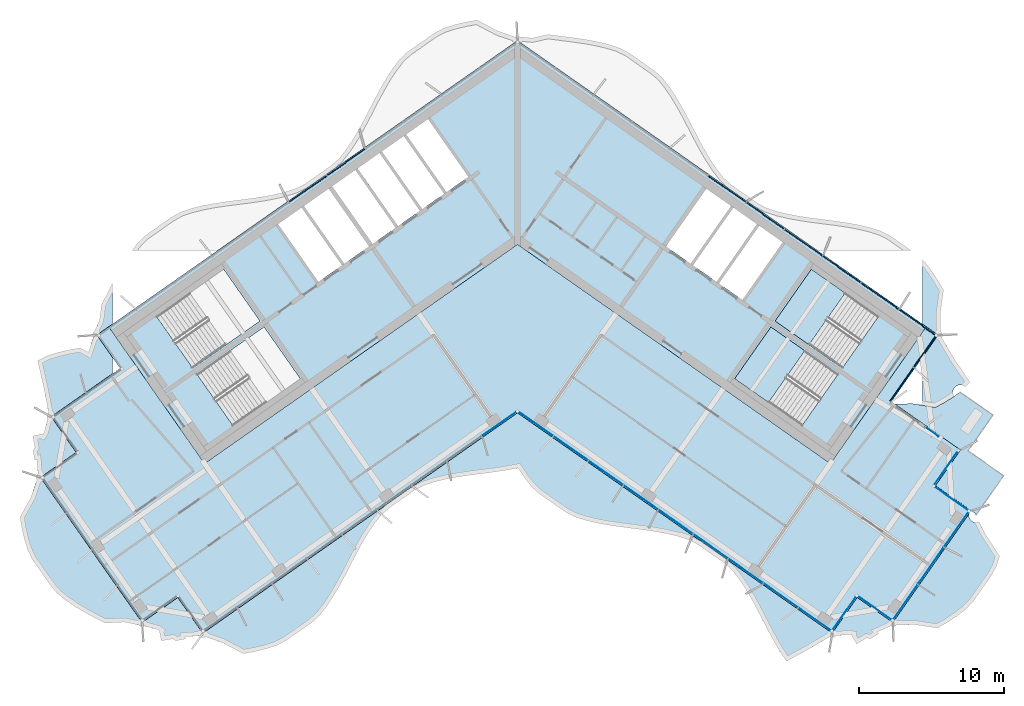
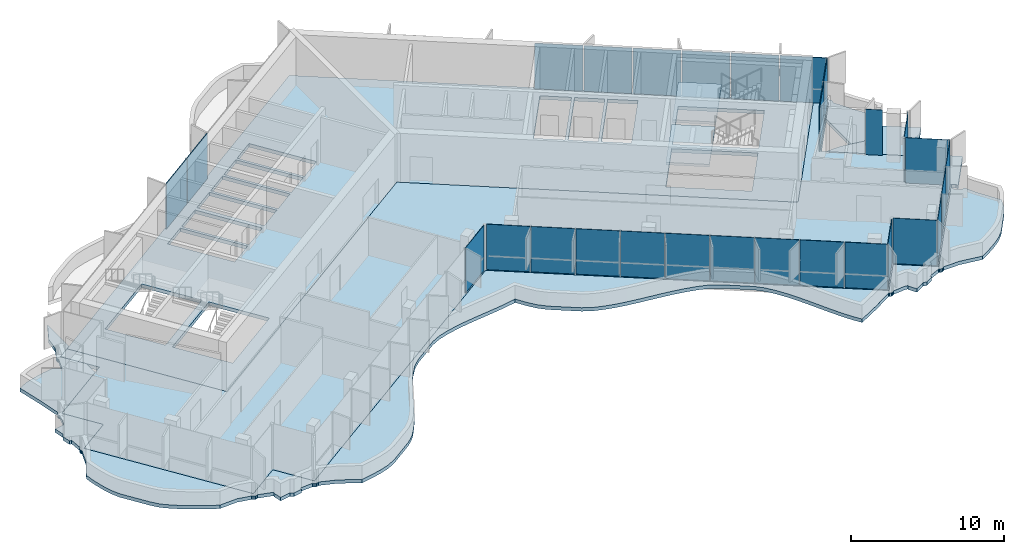
# One storey, part 9 of 20: 28 plates, 7 slabs, 4 elements without a shape of their own.
"""IFC4 building model written with IfcOpenShell, lengths in metres."""

from ifc_helpers import new_model, si_unit, direction, frame, origin, origin_2d, place, context, subcontext, project, spatial, polyline, rectangle, outline, extrude, material, layer, layer_set, type_object, element, aggregate, save


model = new_model("IFC4")

# Units and contexts
model_context = context("Model", 3, precision=1e-05, world=origin(), true_north=direction((0.0, 1.0)))
body_context = subcontext(model_context, "Body", "Model", "MODEL_VIEW")
ifc_project = project(units=[si_unit("LENGTHUNIT", "METRE"), si_unit("AREAUNIT", "SQUARE_METRE"), si_unit("VOLUMEUNIT", "CUBIC_METRE"), si_unit("PLANEANGLEUNIT", "RADIAN"), si_unit("MASSUNIT", "GRAM", prefix="KILO")], contexts=[model_context])

# Site, building, storey
site_placement = place(None, origin())
site = spatial("IfcSite", under=ifc_project, at=site_placement, CompositionType="ELEMENT")
building_placement = place(site_placement, origin())
building = spatial("IfcBuilding", under=site, at=building_placement, Name="Tel Ilan Convention Tower", CompositionType="ELEMENT")
storey_placement = place(building_placement, frame((0.0, 0.0, 248.800048828125)))
storey = spatial("IfcBuildingStorey", under=building, at=storey_placement, Name="L58", CompositionType="ELEMENT", Elevation=248.800048828125)

# Curtain wall, plates
ifc_material_1 = material(Name="Aluminium, bronze anodised", Category="aluminium")
curtain_wall_type_1 = type_object("IfcCurtainWallType", Name="CW2 STICK CURTAIN WALL, SPANDREL PANELS", PredefinedType="NOTDEFINED", material=ifc_material_1)
curtain_wall_1_placement = place(storey_placement, origin())
curtain_wall_1 = element("IfcCurtainWall", 1, at=curtain_wall_1_placement, inside=storey, type_object=curtain_wall_type_1, Name="Curtain wall CW2-45.02", PredefinedType="NOTDEFINED")
ifc_material_2 = material(Name="Aluminium composite panel, bronze anodised", Category="aluminium")
ifc_layer_1 = layer(ifc_material_2, 0.06005859375)
ifc_layer_set_1 = layer_set([ifc_layer_1], Name="CW SPANDREL PANEL 60")
plate_type_1 = type_object("IfcPlateType", Name="CW SPANDREL PANEL 60", PredefinedType="CURTAIN_PANEL", material=ifc_layer_set_1)
plate_1_placement = place(storey_placement, frame((26.45947265625, -10.85400390625, 0.0), z_axis=(0.0, 0.0, 1.0), x_axis=(0.573576436351, 0.819152044289, 0.0)))
plate_1 = element("IfcPlate", 2, at=plate_1_placement, type_object=plate_type_1, Name="Spandrel panel", PredefinedType="CURTAIN_PANEL", context=body_context, shape_type="SweptSolid", body=[
    extrude(rectangle(XDim=2.76904296875, YDim=0.06005859375, at=origin_2d()), origin(), (0.0, 0.0, 1.0), 3.6201171875),
])
plate_2_placement = place(storey_placement, frame((28.042236328125, -8.593505859375, 0.0), z_axis=(0.0, 0.0, 1.0), x_axis=(0.573576436351, 0.819152044289, 0.0)))
plate_2 = element("IfcPlate", 3, at=plate_2_placement, type_object=plate_type_1, Name="Spandrel panel", PredefinedType="CURTAIN_PANEL", context=body_context, shape_type="SweptSolid", body=[
    extrude(rectangle(XDim=2.6298828125, YDim=0.06005859375, at=origin_2d()), origin(), (0.0, 0.0, 1.0), 3.6201171875),
])
plate_3_placement = place(storey_placement, frame((27.5400390625, -6.587646484375, 0.0), z_axis=(0.0, 0.0, 1.0), x_axis=(-0.819152044289, 0.573576436351, 0.0)))
plate_3 = element("IfcPlate", 4, at=plate_3_placement, type_object=plate_type_1, Name="Spandrel panel", PredefinedType="CURTAIN_PANEL", context=body_context, shape_type="SweptSolid", body=[
    extrude(rectangle(XDim=3.0439453125, YDim=0.06005859375, at=origin_2d()), origin(), (0.0, 0.0, 1.0), 3.6201171875),
])
plate_4_placement = place(storey_placement, frame((24.95263671875, -4.77587890625, 0.0), z_axis=(0.0, 0.0, 1.0), x_axis=(-0.819152044289, 0.573576436351, 0.0)))
plate_4 = element("IfcPlate", 5, at=plate_4_placement, type_object=plate_type_1, Name="Spandrel panel", PredefinedType="CURTAIN_PANEL", context=body_context, shape_type="SweptSolid", body=[
    extrude(rectangle(XDim=3.15380859375, YDim=0.06005859375, at=origin_2d()), origin(), (0.0, 0.0, 1.0), 3.6201171875),
])
plate_5_placement = place(storey_placement, frame((22.31982421875, -2.9326171875, 0.0), z_axis=(0.0, 0.0, 1.0), x_axis=(-0.819152044289, 0.573576436351, 0.0)))
plate_5 = element("IfcPlate", 6, at=plate_5_placement, type_object=plate_type_1, Name="Spandrel panel", PredefinedType="CURTAIN_PANEL", context=body_context, shape_type="SweptSolid", body=[
    extrude(rectangle(XDim=3.15380859375, YDim=0.06005859375, at=origin_2d()), origin(), (0.0, 0.0, 1.0), 3.6201171875),
])
plate_6_placement = place(storey_placement, frame((19.687255859375, -1.089111328125, 0.0), z_axis=(0.0, 0.0, 1.0), x_axis=(-0.819152044289, 0.573576436351, 0.0)))
plate_6 = element("IfcPlate", 7, at=plate_6_placement, type_object=plate_type_1, Name="Spandrel panel", PredefinedType="CURTAIN_PANEL", context=body_context, shape_type="SweptSolid", body=[
    extrude(rectangle(XDim=3.15380859375, YDim=0.06005859375, at=origin_2d()), origin(), (0.0, 0.0, 1.0), 3.6201171875),
])
plate_7_placement = place(storey_placement, frame((17.0546875, 0.754150390625, 0.0), z_axis=(0.0, 0.0, 1.0), x_axis=(-0.819152044289, 0.573576436351, 0.0)))
plate_7 = element("IfcPlate", 8, at=plate_7_placement, type_object=plate_type_1, Name="Spandrel panel", PredefinedType="CURTAIN_PANEL", context=body_context, shape_type="SweptSolid", body=[
    extrude(rectangle(XDim=3.15380859375, YDim=0.06005859375, at=origin_2d()), origin(), (0.0, 0.0, 1.0), 3.6201171875),
])
plate_8_placement = place(storey_placement, frame((14.422119140625, 2.59765625, 0.0), z_axis=(0.0, 0.0, 1.0), x_axis=(-0.819152044289, 0.573576436351, 0.0)))
plate_8 = element("IfcPlate", 9, at=plate_8_placement, type_object=plate_type_1, Name="Spandrel panel", PredefinedType="CURTAIN_PANEL", context=body_context, shape_type="SweptSolid", body=[
    extrude(rectangle(XDim=3.15380859375, YDim=0.06005859375, at=origin_2d()), origin(), (0.0, 0.0, 1.0), 3.6201171875),
])
plate_9_placement = place(storey_placement, frame((-11.789306640625, 4.44091796875, 0.0), z_axis=(0.0, 0.0, 1.0), x_axis=(-0.819152044289, -0.573576436351, 0.0)))
plate_9 = element("IfcPlate", 10, at=plate_9_placement, type_object=plate_type_1, Name="Spandrel panel", PredefinedType="CURTAIN_PANEL", context=body_context, shape_type="SweptSolid", body=[
    extrude(rectangle(XDim=3.15380859375, YDim=0.06005859375, at=origin_2d()), origin(), (0.0, 0.0, 1.0), 3.6201171875),
])
plate_10_placement = place(storey_placement, frame((-14.422119140625, 2.59765625, 0.0), z_axis=(0.0, 0.0, 1.0), x_axis=(-0.819152044289, -0.573576436351, 0.0)))
plate_10 = element("IfcPlate", 11, at=plate_10_placement, type_object=plate_type_1, Name="Spandrel panel", PredefinedType="CURTAIN_PANEL", context=body_context, shape_type="SweptSolid", body=[
    extrude(rectangle(XDim=3.15380859375, YDim=0.06005859375, at=origin_2d()), origin(), (0.0, 0.0, 1.0), 3.6201171875),
])
aggregate(curtain_wall_1, [plate_1, plate_2, plate_3, plate_4, plate_5, plate_6, plate_7, plate_8, plate_9, plate_10])

ifc_material_3 = material(Name="Aluminium, bronze anodised", Category="aluminium")
curtain_wall_type_2 = type_object("IfcCurtainWallType", Name="CW5 STICK CURTAIN WALL, UPPER OFFICE LOW-IRON TINTED GLASS", PredefinedType="NOTDEFINED", material=ifc_material_3)
curtain_wall_2_placement = place(storey_placement, origin())
curtain_wall_2 = element("IfcCurtainWall", 12, at=curtain_wall_2_placement, inside=storey, type_object=curtain_wall_type_2, Name="Curtain wall CW5-45.03", PredefinedType="NOTDEFINED")
ifc_material_4 = material(Name="Glass, low-iron bronze tinted, two-ply", Category="glass")
ifc_layer_2 = layer(ifc_material_4, 0.031982421875)
ifc_layer_set_2 = layer_set([ifc_layer_2], Name="CW UPPER GLASS PANEL 32")
plate_type_2 = type_object("IfcPlateType", Name="CW UPPER GLASS PANEL 32", PredefinedType="CURTAIN_PANEL", material=ifc_layer_set_2)
plate_11_placement = place(storey_placement, frame((-1.261474609375, -13.579345703125, 0.0), z_axis=(0.0, 0.0, 1.0), x_axis=(0.819152044289, 0.573576436351, 0.0)))
plate_11 = element("IfcPlate", 13, at=plate_11_placement, type_object=plate_type_2, Name="Glass panel", PredefinedType="CURTAIN_PANEL", context=body_context, shape_type="SweptSolid", body=[
    extrude(rectangle(XDim=2.877685546875, YDim=0.028076171875, at=origin_2d()), origin(), (0.0, 0.0, 1.0), 3.6201171875),
])
plate_12_placement = place(storey_placement, frame((1.27294921875, -13.58740234375, 0.0), z_axis=(0.0, 0.0, 1.0), x_axis=(0.819152044289, -0.573576436351, 0.0)))
plate_12 = element("IfcPlate", 14, at=plate_12_placement, type_object=plate_type_2, Name="Glass panel", PredefinedType="CURTAIN_PANEL", context=body_context, shape_type="SweptSolid", body=[
    extrude(rectangle(XDim=2.849609375, YDim=0.028076171875, at=origin_2d()), origin(), (0.0, 0.0, 1.0), 3.6201171875),
])
plate_13_placement = place(storey_placement, frame((3.668212890625, -15.264404296875, 0.0), z_axis=(0.0, 0.0, 1.0), x_axis=(0.819152044289, -0.573576436351, 0.0)))
plate_13 = element("IfcPlate", 15, at=plate_13_placement, type_object=plate_type_2, Name="Glass panel", PredefinedType="CURTAIN_PANEL", context=body_context, shape_type="SweptSolid", body=[
    extrude(rectangle(XDim=2.878662109375, YDim=0.028076171875, at=origin_2d()), origin(), (0.0, 0.0, 1.0), 3.6201171875),
])
plate_14_placement = place(storey_placement, frame((6.075439453125, -16.949951171875, 0.0), z_axis=(0.0, 0.0, 1.0), x_axis=(0.819152044289, -0.573576436351, 0.0)))
plate_14 = element("IfcPlate", 16, at=plate_14_placement, type_object=plate_type_2, Name="Glass panel", PredefinedType="CURTAIN_PANEL", context=body_context, shape_type="SweptSolid", body=[
    extrude(rectangle(XDim=2.878662109375, YDim=0.028076171875, at=origin_2d()), origin(), (0.0, 0.0, 1.0), 3.6201171875),
])
plate_15_placement = place(storey_placement, frame((8.482666015625, -18.635498046875, 0.0), z_axis=(0.0, 0.0, 1.0), x_axis=(0.819152044289, -0.573576436351, 0.0)))
plate_15 = element("IfcPlate", 17, at=plate_15_placement, type_object=plate_type_2, Name="Glass panel", PredefinedType="CURTAIN_PANEL", context=body_context, shape_type="SweptSolid", body=[
    extrude(rectangle(XDim=2.878662109375, YDim=0.028076171875, at=origin_2d()), origin(), (0.0, 0.0, 1.0), 3.6201171875),
])
plate_16_placement = place(storey_placement, frame((10.8896484375, -20.321044921875, 0.0), z_axis=(0.0, 0.0, 1.0), x_axis=(0.819152044289, -0.573576436351, 0.0)))
plate_16 = element("IfcPlate", 18, at=plate_16_placement, type_object=plate_type_2, Name="Glass panel", PredefinedType="CURTAIN_PANEL", context=body_context, shape_type="SweptSolid", body=[
    extrude(rectangle(XDim=2.878662109375, YDim=0.028076171875, at=origin_2d()), origin(), (0.0, 0.0, 1.0), 3.6201171875),
])
plate_17_placement = place(storey_placement, frame((13.296875, -22.006591796875, 0.0), z_axis=(0.0, 0.0, 1.0), x_axis=(0.819152044289, -0.573576436351, 0.0)))
plate_17 = element("IfcPlate", 19, at=plate_17_placement, type_object=plate_type_2, Name="Glass panel", PredefinedType="CURTAIN_PANEL", context=body_context, shape_type="SweptSolid", body=[
    extrude(rectangle(XDim=2.878662109375, YDim=0.028076171875, at=origin_2d()), origin(), (0.0, 0.0, 1.0), 3.6201171875),
])
plate_18_placement = place(storey_placement, frame((15.7041015625, -23.692138671875, 0.0), z_axis=(0.0, 0.0, 1.0), x_axis=(0.819152044289, -0.573576436351, 0.0)))
plate_18 = element("IfcPlate", 20, at=plate_18_placement, type_object=plate_type_2, Name="Glass panel", PredefinedType="CURTAIN_PANEL", context=body_context, shape_type="SweptSolid", body=[
    extrude(rectangle(XDim=2.878662109375, YDim=0.028076171875, at=origin_2d()), origin(), (0.0, 0.0, 1.0), 3.6201171875),
])
plate_19_placement = place(storey_placement, frame((18.111328125, -25.377685546875, 0.0), z_axis=(0.0, 0.0, 1.0), x_axis=(0.819152044289, -0.573576436351, 0.0)))
plate_19 = element("IfcPlate", 21, at=plate_19_placement, type_object=plate_type_2, Name="Glass panel", PredefinedType="CURTAIN_PANEL", context=body_context, shape_type="SweptSolid", body=[
    extrude(rectangle(XDim=2.878662109375, YDim=0.028076171875, at=origin_2d()), origin(), (0.0, 0.0, 1.0), 3.6201171875),
])
plate_20_placement = place(storey_placement, frame((20.47998046875, -27.036376953125, 0.0), z_axis=(0.0, 0.0, 1.0), x_axis=(0.819152044289, -0.573576436351, 0.0)))
plate_20 = element("IfcPlate", 22, at=plate_20_placement, type_object=plate_type_2, Name="Glass panel", PredefinedType="CURTAIN_PANEL", context=body_context, shape_type="SweptSolid", body=[
    extrude(rectangle(XDim=2.78466796875, YDim=0.028076171875, at=origin_2d()), origin(), (0.0, 0.0, 1.0), 3.6201171875),
])
plate_21_placement = place(storey_placement, frame((22.478515625, -26.651611328125, 0.0), z_axis=(0.0, 0.0, 1.0), x_axis=(0.573576436351, 0.819152044289, 0.0)))
plate_21 = element("IfcPlate", 23, at=plate_21_placement, type_object=plate_type_2, Name="Glass panel", PredefinedType="CURTAIN_PANEL", context=body_context, shape_type="SweptSolid", body=[
    extrude(rectangle(XDim=2.875, YDim=0.028076171875, at=origin_2d()), origin(), (0.0, 0.0, 1.0), 3.6201171875),
])
plate_22_placement = place(storey_placement, frame((24.621337890625, -26.273681640625, 0.0), z_axis=(0.0, 0.0, 1.0), x_axis=(0.819152044289, -0.573576436351, 0.0)))
plate_22 = element("IfcPlate", 24, at=plate_22_placement, type_object=plate_type_2, Name="Glass panel", PredefinedType="CURTAIN_PANEL", context=body_context, shape_type="SweptSolid", body=[
    extrude(rectangle(XDim=2.875, YDim=0.028076171875, at=origin_2d()), origin(), (0.0, 0.0, 1.0), 3.6201171875),
])
plate_23_placement = place(storey_placement, frame((26.6865234375, -25.8720703125, 0.0), z_axis=(0.0, 0.0, 1.0), x_axis=(0.573576436351, 0.819152044289, 0.0)))
plate_23 = element("IfcPlate", 25, at=plate_23_placement, type_object=plate_type_2, Name="Glass panel", PredefinedType="CURTAIN_PANEL", context=body_context, shape_type="SweptSolid", body=[
    extrude(rectangle(XDim=2.979248046875, YDim=0.028076171875, at=origin_2d()), origin(), (0.0, 0.0, 1.0), 3.6201171875),
])
plate_24_placement = place(storey_placement, frame((28.456787109375, -23.343994140625, 0.0), z_axis=(0.0, 0.0, 1.0), x_axis=(0.573576436351, 0.819152044289, 0.0)))
plate_24 = element("IfcPlate", 26, at=plate_24_placement, type_object=plate_type_2, Name="Glass panel", PredefinedType="CURTAIN_PANEL", context=body_context, shape_type="SweptSolid", body=[
    extrude(rectangle(XDim=3.0732421875, YDim=0.028076171875, at=origin_2d()), origin(), (0.0, 0.0, 1.0), 3.6201171875),
])
plate_25_placement = place(storey_placement, frame((30.22705078125, -20.815673828125, 0.0), z_axis=(0.0, 0.0, 1.0), x_axis=(0.573576436351, 0.819152044289, 0.0)))
plate_25 = element("IfcPlate", 27, at=plate_25_placement, type_object=plate_type_2, Name="Glass panel", PredefinedType="CURTAIN_PANEL", context=body_context, shape_type="SweptSolid", body=[
    extrude(rectangle(XDim=2.979248046875, YDim=0.028076171875, at=origin_2d()), origin(), (0.0, 0.0, 1.0), 3.6201171875),
])
plate_26_placement = place(storey_placement, frame((29.898193359375, -18.737548828125, 0.0), z_axis=(0.0, 0.0, 1.0), x_axis=(-0.819152044289, 0.573576436351, 0.0)))
plate_26 = element("IfcPlate", 28, at=plate_26_placement, type_object=plate_type_2, Name="Glass panel", PredefinedType="CURTAIN_PANEL", context=body_context, shape_type="SweptSolid", body=[
    extrude(rectangle(XDim=2.875, YDim=0.028076171875, at=origin_2d()), origin(), (0.0, 0.0, 1.0), 3.6201171875),
])
plate_27_placement = place(storey_placement, frame((29.520263671875, -16.5947265625, 0.0), z_axis=(0.0, 0.0, 1.0), x_axis=(0.573576436351, 0.819152044289, 0.0)))
plate_27 = element("IfcPlate", 29, at=plate_27_placement, type_object=plate_type_2, Name="Glass panel", PredefinedType="CURTAIN_PANEL", context=body_context, shape_type="SweptSolid", body=[
    extrude(rectangle(XDim=2.875, YDim=0.028076171875, at=origin_2d()), origin(), (0.0, 0.0, 1.0), 3.6201171875),
])
plate_28_placement = place(storey_placement, frame((28.53759765625, -14.12255859375, 0.0), z_axis=(0.0, 0.0, 1.0), x_axis=(-0.819152044289, 0.573576436351, 0.0)))
plate_28 = element("IfcPlate", 30, at=plate_28_placement, type_object=plate_type_2, Name="Glass panel", PredefinedType="CURTAIN_PANEL", context=body_context, shape_type="SweptSolid", body=[
    extrude(rectangle(XDim=1.093994140625, YDim=0.028076171875, at=origin_2d()), origin(), (0.0, 0.0, 1.0), 3.6201171875),
])
aggregate(curtain_wall_2, [plate_11, plate_12, plate_13, plate_14, plate_15, plate_16, plate_17, plate_18, plate_19, plate_20, plate_21, plate_22, plate_23, plate_24, plate_25, plate_26, plate_27, plate_28])

# Stair, slab
ifc_material_5 = material(Name="Concrete C40/50", Category="concrete")
stair_type = type_object("IfcStairType", Name="Pressurised Exit Stair 22 risers 177 mm", PredefinedType="HALF_TURN_STAIR", material=ifc_material_5)
stair_1_placement = place(storey_placement, origin())
stair_1 = element("IfcStair", 31, at=stair_1_placement, inside=storey, type_object=stair_type, Name="L58 Pressurised Stair S3", PredefinedType="HALF_TURN_STAIR")
ifc_material_6 = material(Name="Concrete C40/50", Category="concrete")
ifc_layer_3 = layer(ifc_material_6, 0.199951171875)
ifc_layer_set_3 = layer_set([ifc_layer_3], Name="Concrete Stair Landing 200 mm C40/50")
slab_type_1 = type_object("IfcSlabType", Name="Concrete Stair Landing 200 mm", PredefinedType="LANDING", material=ifc_layer_set_3)
slab_1_placement = place(storey_placement, frame((0.0, 0.0, 1.75)))
slab_1 = element("IfcSlab", 32, at=slab_1_placement, type_object=slab_type_1, Name="S3 landing 1", PredefinedType="LANDING", context=body_context, shape_type="SweptSolid", body=[
    extrude(outline(polyline([(22.561767578125, -4.566650390625), (20.226318359375, -2.931640625), (17.7314453125, -6.494873046875), (20.066650390625, -8.130126953125), (22.561767578125, -4.566650390625)])), origin(), (0.0, 0.0, 1.0), 0.199951171875),
])
aggregate(stair_1, [slab_1])

stair_2_placement = place(storey_placement, origin())
stair_2 = element("IfcStair", 33, at=stair_2_placement, inside=storey, type_object=stair_type, Name="L58 Pressurised Stair S4", PredefinedType="HALF_TURN_STAIR")
slab_2_placement = place(storey_placement, frame((0.0, 0.0, 1.75)))
slab_2 = element("IfcSlab", 34, at=slab_2_placement, type_object=slab_type_1, Name="S4 landing 1", PredefinedType="LANDING", context=body_context, shape_type="SweptSolid", body=[
    extrude(outline(polyline([(19.77978515625, -8.53955078125), (17.444580078125, -6.904541015625), (14.949462890625, -10.4677734375), (17.28466796875, -12.10302734375), (19.77978515625, -8.53955078125)])), origin(), (0.0, 0.0, 1.0), 0.199951171875),
])
aggregate(stair_2, [slab_2])

# Slabs
ifc_material_7 = material(Name="Concrete C40/50", Category="concrete")
ifc_layer_4 = layer(ifc_material_7, 0.280029296875)
ifc_layer_set_4 = layer_set([ifc_layer_4], Name="Core Floor Slab 280 mm C40/50")
slab_type_2 = type_object("IfcSlabType", Name="Core Floor Slab 280 mm C40/50", PredefinedType="FLOOR", material=ifc_layer_set_4)
slab_3_placement = place(storey_placement, frame((0.0, 0.0, -0.280029296875)))
element("IfcSlab", 35, at=slab_3_placement, inside=storey, type_object=slab_type_2, Name="L58 core floor 1", PredefinedType="FLOOR", context=body_context, shape_type="SweptSolid", body=[
    extrude(outline(polyline([(-28.1396484375, -6.885498046875), (0.0, 12.818115234375), (28.1396484375, -6.885498046875), (21.54345703125, -16.3056640625), (0.0, -1.220703125), (-21.54345703125, -16.3056640625), (-28.1396484375, -6.885498046875)]), holes=[polyline([(-17.444580078125, -6.904541015625), (-22.072021484375, -10.144775390625), (-19.5771484375, -13.7080078125), (-14.949462890625, -10.4677734375), (-17.444580078125, -6.904541015625)]), polyline([(-17.7314453125, -6.494873046875), (-20.226318359375, -2.931640625), (-24.85400390625, -6.171875), (-22.35888671875, -9.735107421875), (-17.7314453125, -6.494873046875)]), polyline([(-14.864990234375, 1.310791015625), (-16.48291015625, 0.177978515625), (-13.701171875, -3.794921875), (-12.083251953125, -2.662109375), (-14.864990234375, 1.310791015625)]), polyline([(-14.701416015625, 1.425537109375), (-11.91943359375, -2.54736328125), (-10.2197265625, -1.357421875), (-13.001708984375, 2.615478515625), (-14.701416015625, 1.425537109375)]), polyline([(-11.168701171875, 3.89892578125), (-12.755859375, 2.78759765625), (-9.97412109375, -1.185302734375), (-8.386962890625, -0.073974609375), (-11.168701171875, 3.89892578125)]), polyline([(-9.499755859375, 5.067626953125), (-11.0048828125, 4.013671875), (-8.222900390625, 0.040771484375), (-6.718017578125, 1.0947265625), (-9.499755859375, 5.067626953125)]), polyline([(-9.3359375, 5.182373046875), (-6.553955078125, 1.20947265625), (-5.048828125, 2.263427734375), (-7.830810546875, 6.236328125), (-9.3359375, 5.182373046875)]), polyline([(17.444580078125, -6.904541015625), (14.949462890625, -10.4677734375), (19.5771484375, -13.7080078125), (22.072021484375, -10.144775390625), (17.444580078125, -6.904541015625)]), polyline([(20.226318359375, -2.931640625), (17.7314453125, -6.494873046875), (22.35888671875, -9.735107421875), (24.85400390625, -6.171875), (20.226318359375, -2.931640625)]), polyline([(15.48291015625, -5.04248046875), (18.2646484375, -1.069580078125), (16.646728515625, 0.063232421875), (13.864990234375, -3.90966796875), (15.48291015625, -5.04248046875)]), polyline([(13.701171875, -3.794921875), (16.48291015625, 0.177978515625), (14.864990234375, 1.310791015625), (12.083251953125, -2.662109375), (13.701171875, -3.794921875)]), polyline([(11.91943359375, -2.54736328125), (14.701416015625, 1.425537109375), (13.001708984375, 2.615478515625), (10.2197265625, -1.357421875), (11.91943359375, -2.54736328125)]), polyline([(-6.16162109375, 7.405029296875), (-7.666748046875, 6.35107421875), (-4.885009765625, 2.378173828125), (-3.3798828125, 3.43212890625), (-6.16162109375, 7.405029296875)])]), origin(), (0.0, 0.0, 1.0), 0.280029296875),
])
ifc_material_8 = material(Name="Concrete C40/50", Category="concrete")
ifc_layer_5 = layer(ifc_material_8, 0.280029296875)
ifc_layer_set_5 = layer_set([ifc_layer_5], Name="Edge Ledge Slab 280 mm C40/50")
slab_type_3 = type_object("IfcSlabType", Name="Edge Ledge Slab 280 mm C40/50", PredefinedType="FLOOR", material=ifc_layer_set_5)
slab_4_placement = place(storey_placement, frame((0.0, 0.0, -0.280029296875)))
element("IfcSlab", 36, at=slab_4_placement, inside=storey, type_object=slab_type_3, Name="L58 edge ledge 1", PredefinedType="FLOOR", context=body_context, shape_type="SweptSolid", body=[
    extrude(outline(polyline([(-22.855224609375, -28.3798828125), (-23.49462890625, -28.5126953125), (-23.728759765625, -28.3701171875), (-24.51416015625, -28.518310546875), (-24.64697265625, -27.87890625), (-24.61669921875, -27.8291015625), (-24.7724609375, -27.73388671875), (-25.6708984375, -27.4970703125), (-25.67431640625, -27.4921875), (-25.728271484375, -27.5283203125), (-25.843017578125, -27.55126953125), (-25.957763671875, -27.5283203125), (-26.05517578125, -27.46337890625), (-26.083984375, -27.420166015625), (-26.088623046875, -27.42333984375), (-27.05419921875, -27.223388671875), (-28.398193359375, -27.288330078125), (-29.12353515625, -26.920166015625), (-29.82373046875, -26.5341796875), (-30.49462890625, -26.1279296875), (-31.125732421875, -25.69384765625), (-31.707763671875, -25.22509765625), (-32.166748046875, -24.670654296875), (-33.401611328125, -22.906982421875), (-33.7158203125, -22.2509765625), (-33.940185546875, -21.531982421875), (-34.1181640625, -20.780517578125), (-34.248779296875, -19.995849609375), (-33.47021484375, -18.574462890625), (-33.08642578125, -17.4296875), (-33.081787109375, -17.426513671875), (-33.117919921875, -17.372314453125), (-33.140625, -17.257568359375), (-33.117919921875, -17.142822265625), (-33.052734375, -17.04541015625), (-33.009521484375, -17.0166015625), (-33.0126953125, -17.011962890625), (-33.085693359375, -16.03955078125), (-33.232666015625, -16.067138671875), (-33.365478515625, -15.427490234375), (-33.22265625, -15.193603515625), (-33.370849609375, -14.408203125), (-32.7314453125, -14.275390625), (-32.681640625, -14.3056640625), (-32.586669921875, -14.14990234375), (-32.349609375, -13.25146484375), (-32.344970703125, -13.248291015625), (-32.381103515625, -13.194091796875), (-32.40380859375, -13.079345703125), (-32.381103515625, -12.964599609375), (-32.31591796875, -12.8671875), (-32.272705078125, -12.83837890625), (-32.27587890625, -12.833740234375), (-32.6083984375, -11.094970703125), (-33.031982421875, -9.225830078125), (-32.382080078125, -8.890380859375), (-31.6572265625, -8.661376953125), (-30.899169921875, -8.47998046875), (-30.110107421875, -8.3427734375), (-29.537353515625, -8.652587890625), (-29.20458984375, -7.631103515625), (-29.199951171875, -7.6279296875), (-29.236083984375, -7.57373046875), (-29.2587890625, -7.458984375), (-29.236083984375, -7.34423828125), (-29.1708984375, -7.246826171875), (-29.127685546875, -7.218017578125), (-29.130859375, -7.21337890625), (-28.772216796875, -6.441650390625), (-28.635009765625, -5.353515625), (-28.252685546875, -4.614990234375), (-27.875, -3.881103515625), (-27.875, -6.7001953125), (-28.958740234375, -7.458984375), (-27.875, -9.007080078125), (-27.875, -10.1181640625), (-32.10400390625, -13.079345703125), (-30.383056640625, -15.536865234375), (-32.840576171875, -17.257568359375), (-25.843017578125, -27.251220703125), (-23.385498046875, -25.530517578125), (-21.664794921875, -27.988037109375), (0.0, -12.818115234375), (21.664794921875, -27.988037109375), (23.385498046875, -25.530517578125), (25.843017578125, -27.251220703125), (31.07470703125, -19.779541015625), (31.070068359375, -19.845947265625), (31.0712890625, -19.89501953125), (31.077392578125, -19.943603515625), (31.08837890625, -19.991455078125), (31.10400390625, -20.0380859375), (31.123779296875, -20.0830078125), (31.148193359375, -20.12548828125), (31.176513671875, -20.16552734375), (31.208740234375, -20.20263671875), (31.244384765625, -20.236328125), (31.283203125, -20.266357421875), (31.32470703125, -20.29248046875), (31.368408203125, -20.314453125), (31.414306640625, -20.33203125), (31.461669921875, -20.344970703125), (31.510009765625, -20.353271484375), (31.55908203125, -20.356689453125), (31.608154296875, -20.35546875), (31.65673828125, -20.349365234375), (31.70458984375, -20.33837890625), (31.751220703125, -20.322998046875), (31.7763671875, -20.3115234375), (32.166015625, -21.086181640625), (33.192138671875, -22.687255859375), (32.962646484375, -23.409423828125), (32.6064453125, -24.042724609375), (31.3623046875, -25.819580078125), (30.856201171875, -26.347900390625), (30.25439453125, -26.809326171875), (29.60546875, -27.237548828125), (28.91162109375, -27.634521484375), (27.309326171875, -27.395263671875), (26.088623046875, -27.42333984375), (26.083984375, -27.420166015625), (26.05517578125, -27.46337890625), (25.957763671875, -27.5283203125), (25.843017578125, -27.55126953125), (25.728271484375, -27.5283203125), (25.67431640625, -27.4921875), (25.6708984375, -27.4970703125), (24.7822265625, -27.898193359375), (24.8583984375, -28.02685546875), (24.302978515625, -28.3701171875), (24.0341796875, -28.31640625), (23.3466796875, -28.72412109375), (23.00341796875, -28.168701171875), (23.0146484375, -28.111328125), (22.835693359375, -28.075439453125), (21.910400390625, -28.16015625), (21.906005859375, -28.15673828125), (21.876953125, -28.2001953125), (21.779541015625, -28.26513671875), (21.664794921875, -28.2880859375), (21.550048828125, -28.26513671875), (21.49609375, -28.22900390625), (21.49267578125, -28.233642578125), (19.969482421875, -29.128173828125), (18.5185546875, -29.919677734375), (18.077880859375, -29.268310546875), (17.6669921875, -28.573974609375), (17.27587890625, -27.851806640625), (16.894775390625, -27.115234375), (16.51416015625, -26.377685546875), (16.12451171875, -25.653564453125), (15.71630859375, -24.955810546875), (15.28125, -24.29638671875), (14.811767578125, -23.685791015625), (14.27099609375, -23.177001953125), (12.4658203125, -21.9130859375), (11.811767578125, -21.56591796875), (11.080810546875, -21.329345703125), (10.314697265625, -21.142333984375), (9.521240234375, -20.99462890625), (8.70849609375, -20.87451171875), (7.885986328125, -20.7685546875), (7.06298828125, -20.6630859375), (6.24951171875, -20.5439453125), (5.45458984375, -20.398193359375), (4.68701171875, -20.213623046875), (3.953857421875, -19.979736328125), (3.2939453125, -19.6416015625), (1.488525390625, -18.377197265625), (0.94189453125, -17.877197265625), (0.470458984375, -17.269775390625), (0.03369140625, -16.61279296875), (0.033203125, -16.6123046875), (-0.023681640625, -16.626708984375), (-0.816650390625, -16.775146484375), (-1.62890625, -16.895751953125), (-2.45166015625, -17.001953125), (-3.274658203125, -17.107421875), (-4.08837890625, -17.225830078125), (-4.8837890625, -17.370849609375), (-5.65234375, -17.55419921875), (-6.386474609375, -17.78662109375), (-7.049560546875, -18.12060546875), (-8.85498046875, -19.384521484375), (-9.404541015625, -19.880615234375), (-9.877197265625, -20.486572265625), (-10.314697265625, -21.142333984375), (-10.724853515625, -21.83740234375), (-11.11572265625, -22.56005859375), (-11.49658203125, -23.296875), (-11.877197265625, -24.0341796875), (-12.267333984375, -24.7578125), (-12.67626953125, -25.454833984375), (-13.1123046875, -26.113037109375), (-13.582763671875, -26.721923828125), (-14.12646484375, -27.226318359375), (-15.931884765625, -28.490478515625), (-16.588623046875, -28.833251953125), (-17.32080078125, -29.068603515625), (-18.08740234375, -29.25439453125), (-18.88330078125, -29.3984375), (-20.311279296875, -28.64013671875), (-21.49267578125, -28.233642578125), (-21.49609375, -28.22900390625), (-21.550048828125, -28.26513671875), (-21.664794921875, -28.2880859375), (-21.779541015625, -28.26513671875), (-21.876953125, -28.2001953125), (-21.906005859375, -28.15673828125), (-21.910400390625, -28.16015625), (-22.8828125, -28.233154296875), (-22.855224609375, -28.3798828125)])), origin(), (0.0, 0.0, 1.0), 0.280029296875),
])
slab_5_placement = place(storey_placement, frame((0.0, 0.0, -0.280029296875)))
element("IfcSlab", 37, at=slab_5_placement, inside=storey, type_object=slab_type_3, Name="L58 edge ledge 3", PredefinedType="FLOOR", context=body_context, shape_type="SweptSolid", body=[
    extrude(outline(polyline([(29.127685546875, -7.218017578125), (29.1708984375, -7.246826171875), (29.236083984375, -7.34423828125), (29.2587890625, -7.458984375), (29.236083984375, -7.57373046875), (29.199951171875, -7.6279296875), (29.20458984375, -7.631103515625), (30.056640625, -9.082275390625), (31.151123046875, -10.703125), (30.840087890625, -11.034912109375), (30.760986328125, -10.979248046875), (30.719482421875, -10.953125), (30.675537109375, -10.931396484375), (30.629638671875, -10.913818359375), (30.58251953125, -10.90087890625), (30.533935546875, -10.892578125), (30.485107421875, -10.888916015625), (30.43603515625, -10.890380859375), (30.38720703125, -10.896484375), (30.339599609375, -10.907470703125), (30.29296875, -10.9228515625), (30.248046875, -10.94287109375), (30.20556640625, -10.96728515625), (30.165283203125, -10.99560546875), (30.12841796875, -11.027587890625), (30.094482421875, -11.0634765625), (30.064697265625, -11.10205078125), (30.038330078125, -11.1435546875), (30.0166015625, -11.1875), (29.998779296875, -11.2333984375), (29.986083984375, -11.28076171875), (29.977783203125, -11.3291015625), (29.974365234375, -11.3779296875), (29.9755859375, -11.427001953125), (29.981689453125, -11.4755859375), (29.99267578125, -11.523681640625), (30.008056640625, -11.570068359375), (30.028076171875, -11.614990234375), (30.052490234375, -11.65771484375), (30.06201171875, -11.671142578125), (29.445068359375, -12.072265625), (28.752685546875, -12.44189453125), (27.564697265625, -12.24609375), (27.56494140625, -12.239990234375), (27.875, -12.239990234375), (27.875, -9.007080078125), (28.958740234375, -7.458984375), (27.875, -6.7001953125), (27.875, -2.269287109375), (28.0107421875, -2.392578125), (28.48388671875, -3.001220703125), (28.922119140625, -3.6591796875), (29.331298828125, -4.35888671875), (29.109619140625, -5.95947265625), (29.130859375, -7.21337890625), (29.127685546875, -7.218017578125)])), origin(), (0.0, 0.0, 1.0), 0.280029296875),
])
ifc_material_9 = material(Name="Concrete C40/50", Category="concrete")
ifc_layer_6 = layer(ifc_material_9, 0.280029296875)
ifc_layer_set_6 = layer_set([ifc_layer_6], Name="Flat Plate Floor Slab 280 mm C40/50")
slab_type_4 = type_object("IfcSlabType", Name="Flat Plate Floor Slab 280 mm C40/50", PredefinedType="FLOOR", material=ifc_layer_set_6)
slab_6_placement = place(storey_placement, frame((0.0, 0.0, -0.280029296875)))
element("IfcSlab", 38, at=slab_6_placement, inside=storey, type_object=slab_type_4, Name="L58 floor slab", PredefinedType="FLOOR", context=body_context, shape_type="SweptSolid", body=[
    extrude(outline(polyline([(30.497802734375, -15.373046875), (28.777099609375, -17.83056640625), (31.234619140625, -19.55126953125), (25.843017578125, -27.251220703125), (23.385498046875, -25.530517578125), (21.664794921875, -27.988037109375), (0.0, -12.818115234375), (-21.664794921875, -27.988037109375), (-23.385498046875, -25.530517578125), (-25.843017578125, -27.251220703125), (-32.840576171875, -17.257568359375), (-30.383056640625, -15.536865234375), (-32.10400390625, -13.079345703125), (-27.352783203125, -9.752685546875), (-28.958740234375, -7.458984375), (-28.1396484375, -6.885498046875), (-21.54345703125, -16.3056640625), (0.0, -1.220703125), (21.54345703125, -16.3056640625), (28.1396484375, -6.885498046875), (28.958740234375, -7.458984375), (25.746826171875, -12.04638671875), (25.992431640625, -12.218505859375), (30.497802734375, -15.373046875)])), origin(), (0.0, 0.0, 1.0), 0.280029296875),
])
ifc_material_10 = material(Name="Concrete C40/50", Category="concrete")
ifc_layer_7 = layer(ifc_material_10, 0.280029296875)
ifc_layer_set_7 = layer_set([ifc_layer_7], Name="Terrace Deck Slab 280 mm C40/50")
slab_type_5 = type_object("IfcSlabType", Name="Terrace Deck Slab 280 mm C40/50", PredefinedType="FLOOR", material=ifc_layer_set_7)
slab_7_placement = place(storey_placement, frame((0.0, 0.0, -0.280029296875)))
element("IfcSlab", 39, at=slab_7_placement, inside=storey, type_object=slab_type_5, Name="L58 terrace deck 1", PredefinedType="FLOOR", context=body_context, shape_type="SweptSolid", body=[
    extrude(outline(polyline([(32.730712890625, -12.968994140625), (31.010009765625, -15.426513671875), (33.46728515625, -17.147216796875), (31.556884765625, -19.87548828125), (31.480224609375, -19.723388671875), (28.777099609375, -17.83056640625), (30.497802734375, -15.373046875), (25.992431640625, -12.218505859375), (27.15625, -12.1787109375), (28.752685546875, -12.44189453125), (29.445068359375, -12.072265625), (30.077880859375, -11.660888671875), (30.456787109375, -11.376708984375), (32.730712890625, -12.968994140625)])), origin(), (0.0, 0.0, 1.0), 0.280029296875),
])

save(model, "model.ifc")
